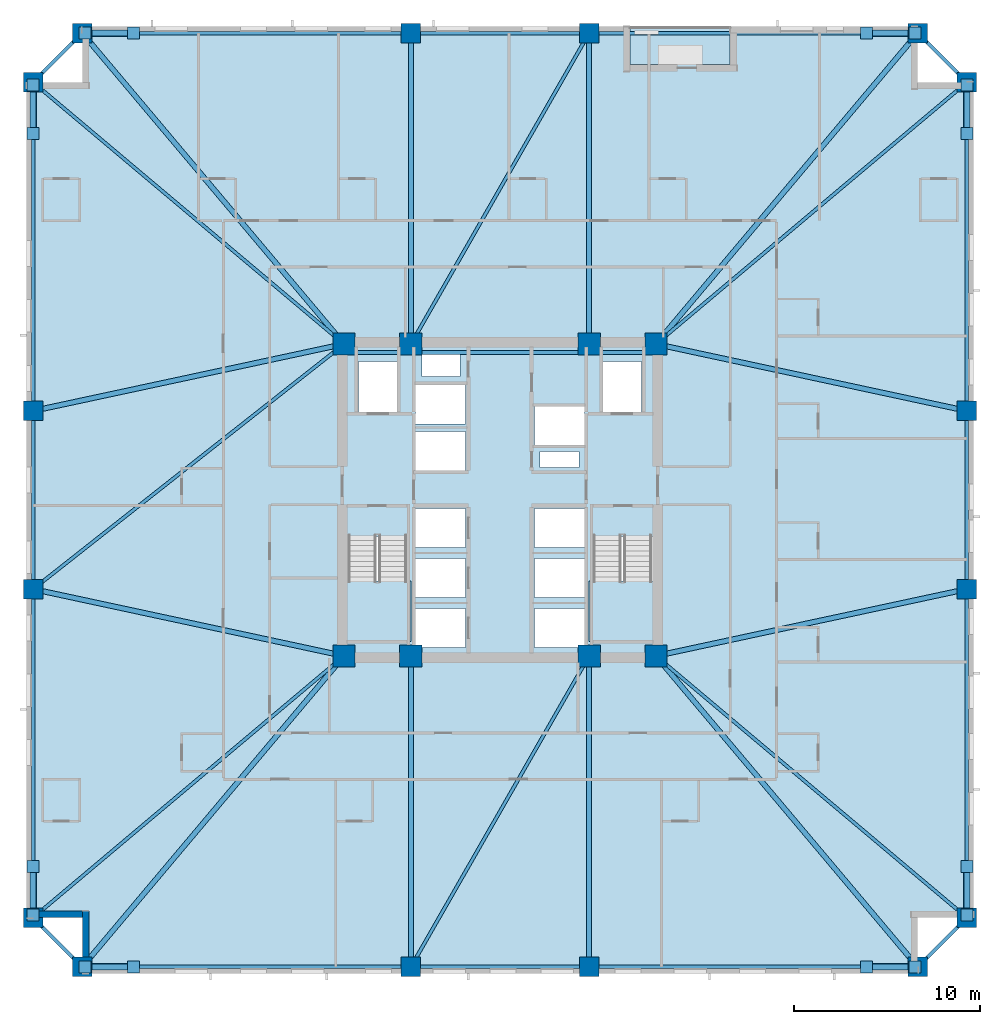
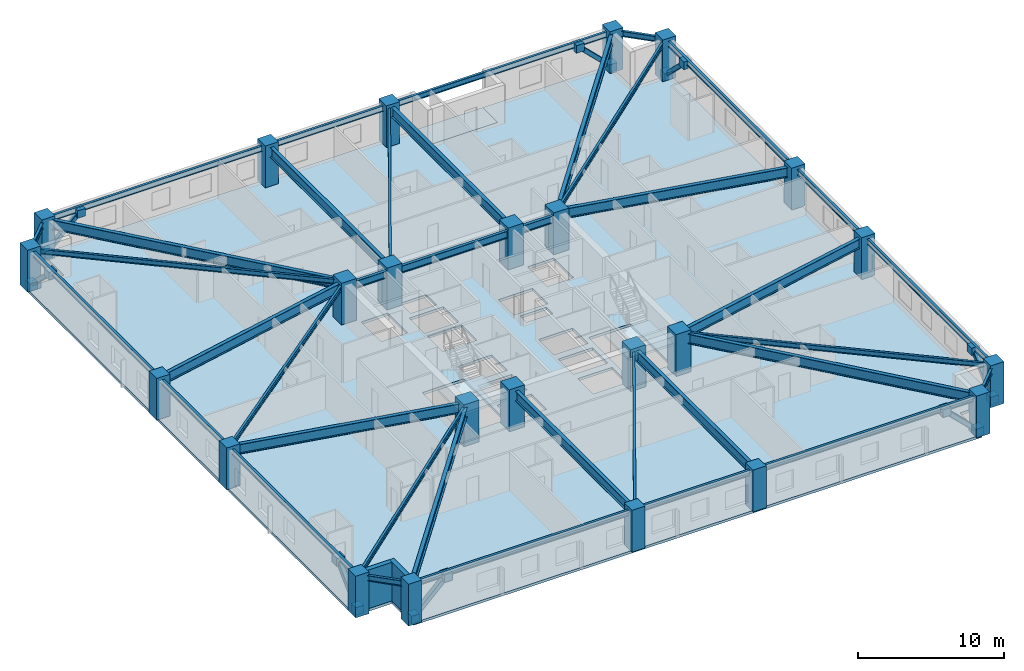
# One storey, part 1 of 11: 38 beams, 24 columns, 16 plates, 8 members, 4 slabs, 2 walls, 2 elements without a shape of their own.
"""IFC4 building model written with IfcOpenShell, lengths in metres."""

import ifcopenshell
import ifcopenshell.guid

model = None  # the IFC model being written
_history = None  # IfcOwnerHistory: only IFC2X3 demands one
_inside = {}  # id of a spatial element -> (the spatial element, [elements in it])
_under = {}  # id of a project, library or spatial element -> (it, [spatial elements below it])
_declared = {}  # id of a project -> (the project, [libraries it declares])
_typed = {}  # id of a type object -> (the type object, [elements of that type])
_made_of = {}  # id of a material, layer set ... -> (it, [elements and type objects made of it])


def new_model(schema):
    """Start an empty IFC model of exactly this schema.

    Asked for "IFC4X3", IfcOpenShell would pick the latest addendum, in which some entities
    have other attributes; the version numbers below select the first issue.
    IFC2X3 requires an IfcOwnerHistory on every rooted entity: one is made here for all.
    """
    global model, _history
    if schema == "IFC4X3":
        model = ifcopenshell.file(schema_version=(4, 3, 0, 0))
    else:
        model = ifcopenshell.file(schema=schema)
    _inside.clear()
    _under.clear()
    _declared.clear()
    _typed.clear()
    _made_of.clear()
    _history = None
    if model.schema == "IFC2X3":
        org = make("IfcOrganization", Name="unknown")
        user = make(
            "IfcPersonAndOrganization",
            ThePerson=make("IfcPerson", FamilyName="unknown"),
            TheOrganization=org,
        )
        app = make(
            "IfcApplication",
            ApplicationDeveloper=org,
            Version="unknown",
            ApplicationFullName="unknown",
            ApplicationIdentifier="unknown",
        )
        _history = make(
            "IfcOwnerHistory",
            OwningUser=user,
            OwningApplication=app,
            ChangeAction="ADDED",
            CreationDate=0,
        )
    return model


def make(cls, **values):
    """One entity of the class cls with the attributes given. An attribute that is None is left unset."""
    return model.create_entity(
        cls, **{name: value for name, value in values.items() if value is not None}
    )


def rooted(cls, **values):
    """An entity with a GlobalId (a new one), such as an element, a storey or a relation."""
    return make(cls, GlobalId=ifcopenshell.guid.new(), OwnerHistory=_history, **values)


def si_unit(unit_type, name, prefix=None):
    """IfcSIUnit, for example si_unit("LENGTHUNIT", "METRE", prefix="MILLI")."""
    return make("IfcSIUnit", UnitType=unit_type, Prefix=prefix, Name=name)


def assignment(units):
    """IfcUnitAssignment: the units of a project."""
    return None if units is None else make("IfcUnitAssignment", Units=units)


def point(xyz):
    """IfcCartesianPoint."""
    return None if xyz is None else make("IfcCartesianPoint", Coordinates=xyz)


def direction(xyz):
    """IfcDirection."""
    return None if xyz is None else make("IfcDirection", DirectionRatios=xyz)


def frame(location, z_axis=None, x_axis=None):
    """IfcAxis2Placement3D, a coordinate frame: its origin and axes. An axis left out is left unset."""
    return make(
        "IfcAxis2Placement3D",
        Location=point(location),
        Axis=direction(z_axis),
        RefDirection=direction(x_axis),
    )


def frame_2d(location, x_axis=None):
    """IfcAxis2Placement2D, a coordinate frame in the plane: its origin and x axis."""
    return make(
        "IfcAxis2Placement2D", Location=point(location), RefDirection=direction(x_axis)
    )


def origin():
    """The frame at (0, 0, 0) with its axes left unset."""
    return frame((0.0, 0.0, 0.0))


def origin_2d():
    """The frame at (0, 0) in the plane with its x axis left unset."""
    return frame_2d((0.0, 0.0))


def place(relative_to, where):
    """IfcLocalPlacement: puts the frame where relative to a parent placement (None: the world)."""
    return make(
        "IfcLocalPlacement", PlacementRelTo=relative_to, RelativePlacement=where
    )


def context(
    kind, dimensions, precision=None, world=None, true_north=None, identifier=None
):
    """IfcGeometricRepresentationContext, for example the 3D "Model" context."""
    return make(
        "IfcGeometricRepresentationContext",
        ContextIdentifier=identifier,
        ContextType=kind,
        CoordinateSpaceDimension=dimensions,
        Precision=precision,
        WorldCoordinateSystem=world,
        TrueNorth=true_north,
    )


def subcontext(parent, identifier, kind, view, scale=None):
    """IfcGeometricRepresentationSubContext, for example "Body" below "Model"."""
    return make(
        "IfcGeometricRepresentationSubContext",
        ContextIdentifier=identifier,
        ContextType=kind,
        ParentContext=parent,
        TargetScale=scale,
        TargetView=view,
    )


def project(units=None, contexts=None):
    """IfcProject with its units and contexts."""
    return rooted(
        "IfcProject",
        Name="project",
        RepresentationContexts=contexts,
        UnitsInContext=assignment(units),
    )


def spatial(cls, under=None, at=None, **own):
    """A site, building, storey or space (cls), placed at a placement, below another one or the project."""
    s = rooted(cls, ObjectPlacement=at, **own)
    if under is not None:
        _under.setdefault(under.id(), (under, []))[1].append(s)
    return s


def polyline(points):
    """IfcPolyline through the points."""
    return make("IfcPolyline", Points=[point(p) for p in points])


def profile(cls, at=None, kind="AREA", **sizes):
    """A parametric profile (cls). Its sizes go by their IFC names, for example OverallWidth=200.0."""
    return make(cls, ProfileType=kind, Position=at, **sizes)


def rectangle(**sizes):
    """IfcRectangleProfileDef."""
    return profile("IfcRectangleProfileDef", **sizes)


def hollow_rectangle(**sizes):
    """IfcRectangleHollowProfileDef."""
    return profile("IfcRectangleHollowProfileDef", **sizes)


def i_section(**sizes):
    """IfcIShapeProfileDef."""
    return profile("IfcIShapeProfileDef", **sizes)


def outline(outer, holes=None, kind="AREA"):
    """IfcArbitraryClosedProfileDef: a profile drawn as a closed curve; with holes, ...WithVoids."""
    if holes is None:
        return make("IfcArbitraryClosedProfileDef", ProfileType=kind, OuterCurve=outer)
    return make(
        "IfcArbitraryProfileDefWithVoids",
        ProfileType=kind,
        OuterCurve=outer,
        InnerCurves=holes,
    )


def extrude(swept, where, along, depth):
    """IfcExtrudedAreaSolid: the profile swept, set in the frame where, extruded along a direction by depth."""
    return make(
        "IfcExtrudedAreaSolid",
        SweptArea=swept,
        Position=where,
        ExtrudedDirection=direction(along),
        Depth=depth,
    )


def shape(context_of_items, identifier, shape_type, items):
    """IfcShapeRepresentation: the items that make up one representation, for example the "Body"."""
    return make(
        "IfcShapeRepresentation",
        ContextOfItems=context_of_items,
        RepresentationIdentifier=identifier,
        RepresentationType=shape_type,
        Items=items,
    )


def material(Name=None, Category=None):
    """IfcMaterial."""
    return make("IfcMaterial", Name=Name, Category=Category)


def layer(
    of_material, thickness, ventilated=None, Name=None, Category=None, Priority=None
):
    """IfcMaterialLayer: one layer of a wall or slab, of a material (None: an air gap)."""
    return make(
        "IfcMaterialLayer",
        Material=of_material,
        LayerThickness=thickness,
        IsVentilated=ventilated,
        Name=Name,
        Category=Category,
        Priority=Priority,
    )


def layer_set(layers, Name=None):
    """IfcMaterialLayerSet."""
    return make("IfcMaterialLayerSet", MaterialLayers=layers, LayerSetName=Name)


def material_profile(
    of_material, cross_section, Name=None, Category=None, Priority=None
):
    """IfcMaterialProfile: a cross section and its material."""
    return make(
        "IfcMaterialProfile",
        Name=Name,
        Material=of_material,
        Profile=cross_section,
        Priority=Priority,
        Category=Category,
    )


def profile_set(profiles, Name=None, composite=None):
    """IfcMaterialProfileSet."""
    return make(
        "IfcMaterialProfileSet",
        Name=Name,
        MaterialProfiles=profiles,
        CompositeProfile=composite,
    )


def made_of(thing, what):
    """Note that an element or type object is made of a material, layer set ...; save() writes the relation."""
    if what is not None:
        _made_of.setdefault(what.id(), (what, []))[1].append(thing)
    return thing


def type_object(cls, material=None, **own):
    """A type object (cls), such as IfcWallType, which elements share."""
    return made_of(rooted(cls, **own), material)


def element(
    cls,
    number,
    at=None,
    inside=None,
    cuts=None,
    type_object=None,
    material=None,
    context=None,
    identifier="Body",
    shape_type=None,
    held_by="IfcProductDefinitionShape",
    body=None,
    shapes=None,
    **own,
):
    """One element of the class cls, such as IfcWall. Its Tag is "e" and its number.

    at: its placement. inside: the storey or other place that contains it. cuts: it is an
    opening in that element (IfcRelVoidsElement). A single representation is given by context,
    identifier, shape_type and body (its items); several are given by shapes. held_by: the class
    of the entity that holds the representations. save() writes the other relations.
    """
    e = rooted(cls, Tag="e%d" % number, ObjectPlacement=at, **own)
    if body is not None:
        shapes = [shape(context, identifier, shape_type, body)]
    if shapes is not None:
        e.Representation = make(held_by, Representations=shapes)
    if inside is not None:
        _inside.setdefault(inside.id(), (inside, []))[1].append(e)
    if cuts is not None:
        rooted(
            "IfcRelVoidsElement", RelatingBuildingElement=cuts, RelatedOpeningElement=e
        )
    if type_object is not None:
        _typed.setdefault(type_object.id(), (type_object, []))[1].append(e)
    return made_of(e, material)


def aggregate(whole, parts):
    """IfcRelAggregates: a whole, such as a stair, and the parts it consists of."""
    return rooted("IfcRelAggregates", RelatingObject=whole, RelatedObjects=parts)


def save(model, path):
    """Write the relations noted so far, then the file.

    IfcRelAggregates (storeys below a building ...), IfcRelContainedInSpatialStructure (elements
    in a storey), IfcRelDefinesByType, IfcRelAssociatesMaterial and IfcRelDeclares: one each for
    every whole, place, type object, material and project.
    """
    for whole, parts in _under.values():
        aggregate(whole, parts)
    for where, things in _inside.values():
        rooted(
            "IfcRelContainedInSpatialStructure",
            RelatedElements=things,
            RelatingStructure=where,
        )
    for kind, things in _typed.values():
        rooted("IfcRelDefinesByType", RelatedObjects=things, RelatingType=kind)
    for what, things in _made_of.values():
        rooted("IfcRelAssociatesMaterial", RelatedObjects=things, RelatingMaterial=what)
    for by, libraries in _declared.values():
        rooted("IfcRelDeclares", RelatingContext=by, RelatedDefinitions=libraries)
    model.write(path)


model = new_model("IFC4")

# Units and contexts
model_context = context("Model", 3, precision=1e-05, world=origin(), true_north=direction((0.0, 1.0)))
body_context = subcontext(model_context, "Body", "Model", "MODEL_VIEW")
ifc_project = project(units=[si_unit("LENGTHUNIT", "METRE"), si_unit("AREAUNIT", "SQUARE_METRE"), si_unit("VOLUMEUNIT", "CUBIC_METRE"), si_unit("PLANEANGLEUNIT", "RADIAN"), si_unit("MASSUNIT", "GRAM", prefix="KILO")], contexts=[model_context])

# Site, building, storey
site_placement = place(None, origin())
site = spatial("IfcSite", under=ifc_project, at=site_placement, CompositionType="ELEMENT")
building_placement = place(site_placement, origin())
building = spatial("IfcBuilding", under=site, at=building_placement, Name="Cairnveth Concourse Tower", CompositionType="ELEMENT")
storey_placement = place(building_placement, frame((0.0, 0.0, 93.5)))
storey = spatial("IfcBuildingStorey", under=building, at=storey_placement, Name="L25", CompositionType="ELEMENT", Elevation=93.5)

# Columns
ifc_material_1 = material(Name="Concrete N80 (80 MPa)", Category="concrete")
ifc_material_profile_1 = material_profile(ifc_material_1, rectangle(XDim=1.199951171875, YDim=1.199951171875, at=origin_2d()), Name="RC-COL-1200x1200")
ifc_profile_set_1 = profile_set([ifc_material_profile_1], Name="Concrete N80 (80 MPa)")
column_type_1 = type_object("IfcColumnType", Name="CORE COLUMN 1200X1200", PredefinedType="COLUMN", material=ifc_profile_set_1)
for number, where, z_axis, x_axis, name in (
    (1, (43.60009765625, 30.60009765625, 0.0), (0.0, 0.0, 1.0), (1.0, 0.0, 0.0), "Column CC1 L25"),
    (2, (47.199951171875, 30.60009765625, 0.0), (0.0, 0.0, 1.0), (1.0, 0.0, 0.0), "Column CC2 L25"),
    (3, (56.800048828125, 30.60009765625, 0.0), (0.0, 0.0, 1.0), (1.0, 0.0, 0.0), "Column CC3 L25"),
    (4, (60.39990234375, 30.60009765625, 0.0), (0.0, 0.0, 1.0), (1.0, 0.0, 0.0), "Column CC4 L25"),
    (5, (43.60009765625, 47.39990234375, 0.0), (0.0, 0.0, 1.0), (1.0, 0.0, 0.0), "Column CC5 L25"),
    (6, (47.199951171875, 47.39990234375, 0.0), (0.0, 0.0, 1.0), (1.0, 0.0, 0.0), "Column CC6 L25"),
    (7, (56.800048828125, 47.39990234375, 0.0), (0.0, 0.0, 1.0), (1.0, 0.0, 0.0), "Column CC7 L25"),
    (8, (60.39990234375, 47.39990234375, 0.0), (0.0, 0.0, 1.0), (1.0, 0.0, 0.0), "Column CC8 L25"),
):
    element("IfcColumn", number, at=place(storey_placement, frame(where, z_axis=z_axis, x_axis=x_axis)), inside=storey, type_object=column_type_1, Name=name, PredefinedType="COLUMN", context=body_context, shape_type="SweptSolid", body=[
        extrude(rectangle(XDim=1.199951171875, YDim=1.199951171875, at=origin_2d()), origin(), (0.0, 0.0, 1.0), 3.5),
    ])
ifc_material_2 = material(Name="Concrete N65 (65 MPa)", Category="concrete")
ifc_material_profile_2 = material_profile(ifc_material_2, rectangle(XDim=1.050048828125, YDim=1.050048828125, at=origin_2d()), Name="RC-COL-1050x1050")
ifc_profile_set_2 = profile_set([ifc_material_profile_2], Name="Concrete N65 (65 MPa)")
column_type_2 = type_object("IfcColumnType", Name="PERIMETER PIER COLUMN 1050X1050", PredefinedType="COLUMN", material=ifc_profile_set_2)
for number, where, z_axis, x_axis, name in (
    (9, (29.5, 13.85009765625, 0.0), (0.0, 0.0, 1.0), (1.0, 0.0, 0.0), "Column P-S1 L25"),
    (10, (47.199951171875, 13.85009765625, 0.0), (0.0, 0.0, 1.0), (1.0, 0.0, 0.0), "Column P-S2 L25"),
    (11, (56.800048828125, 13.85009765625, 0.0), (0.0, 0.0, 1.0), (1.0, 0.0, 0.0), "Column P-S3 L25"),
    (12, (74.5, 13.85009765625, 0.0), (0.0, 0.0, 1.0), (1.0, 0.0, 0.0), "Column P-S4 L25"),
    (13, (77.14990234375, 16.5, 0.0), (0.0, 0.0, 1.0), (0.0, 1.0, 0.0), "Column P-E1 L25"),
    (14, (77.14990234375, 34.199951171875, 0.0), (0.0, 0.0, 1.0), (0.0, 1.0, 0.0), "Column P-E2 L25"),
    (15, (77.14990234375, 43.800048828125, 0.0), (0.0, 0.0, 1.0), (0.0, 1.0, 0.0), "Column P-E3 L25"),
    (16, (77.14990234375, 61.5, 0.0), (0.0, 0.0, 1.0), (0.0, 1.0, 0.0), "Column P-E4 L25"),
    (17, (74.5, 64.14990234375, 0.0), (0.0, 0.0, 1.0), (1.0, 0.0, 0.0), "Column P-N1 L25"),
    (18, (56.800048828125, 64.14990234375, 0.0), (0.0, 0.0, 1.0), (1.0, 0.0, 0.0), "Column P-N2 L25"),
    (19, (47.199951171875, 64.14990234375, 0.0), (0.0, 0.0, 1.0), (1.0, 0.0, 0.0), "Column P-N3 L25"),
    (20, (29.5, 64.14990234375, 0.0), (0.0, 0.0, 1.0), (1.0, 0.0, 0.0), "Column P-N4 L25"),
    (21, (26.85009765625, 61.5, 0.0), (0.0, 0.0, 1.0), (0.0, 1.0, 0.0), "Column P-W1 L25"),
    (22, (26.85009765625, 43.800048828125, 0.0), (0.0, 0.0, 1.0), (0.0, 1.0, 0.0), "Column P-W2 L25"),
    (23, (26.85009765625, 34.199951171875, 0.0), (0.0, 0.0, 1.0), (0.0, 1.0, 0.0), "Column P-W3 L25"),
    (24, (26.85009765625, 16.5, 0.0), (0.0, 0.0, 1.0), (0.0, 1.0, 0.0), "Column P-W4 L25"),
):
    element("IfcColumn", number, at=place(storey_placement, frame(where, z_axis=z_axis, x_axis=x_axis)), inside=storey, type_object=column_type_2, Name=name, PredefinedType="COLUMN", context=body_context, shape_type="SweptSolid", body=[
        extrude(rectangle(XDim=1.050048828125, YDim=1.050048828125, at=origin_2d()), origin(), (0.0, 0.0, 1.0), 3.5),
    ])

# Beams
ifc_material_3 = material(Name="Steel Grade 350", Category="steel")
ifc_material_profile_3 = material_profile(ifc_material_3, i_section(OverallWidth=0.22802734375, OverallDepth=0.60693359375, WebThickness=0.01123046875, FlangeThickness=0.017333984375, FilletRadius=0.013916015625, at=origin_2d()), Name="610UB113")
ifc_profile_set_3 = profile_set([ifc_material_profile_3], Name="Steel Grade 350")
beam_type_1 = type_object("IfcBeamType", Name="CORE TIE BEAM 610UB113", PredefinedType="T_BEAM", material=ifc_profile_set_3)
for number, where, z_axis, x_axis, name in (
    (25, (43.60009765625, 46.949951171875, 2.9365234375), (1.0, 0.0, 0.0), (0.0, 1.0, 0.0), "Beam CT-N1 L25"),
    (26, (56.800048828125, 46.949951171875, 2.9365234375), (1.0, 0.0, 0.0), (0.0, 1.0, 0.0), "Beam CT-N3 L25"),
):
    element("IfcBeam", number, at=place(storey_placement, frame(where, z_axis=z_axis, x_axis=x_axis)), inside=storey, type_object=beam_type_1, Name=name, PredefinedType="T_BEAM", context=body_context, shape_type="SweptSolid", body=[
        extrude(i_section(OverallWidth=0.22802734375, OverallDepth=0.60693359375, WebThickness=0.01123046875, FlangeThickness=0.017333984375, FilletRadius=0.013916015625, at=origin_2d()), origin(), (0.0, 0.0, 1.0), 3.599853515625),
    ])
beam_1_placement = place(storey_placement, frame((47.199951171875, 46.949951171875, 2.9365234375), z_axis=(1.0, 0.0, 0.0), x_axis=(0.0, 1.0, 0.0)))
element("IfcBeam", 27, at=beam_1_placement, inside=storey, type_object=beam_type_1, Name="Beam CT-N2 L25", PredefinedType="T_BEAM", context=body_context, shape_type="SweptSolid", body=[
    extrude(i_section(OverallWidth=0.22802734375, OverallDepth=0.60693359375, WebThickness=0.01123046875, FlangeThickness=0.017333984375, FilletRadius=0.013916015625, at=origin_2d()), origin(), (0.0, 0.0, 1.0), 9.60009765625),
])
ifc_material_profile_4 = material_profile(ifc_material_3, i_section(OverallWidth=0.177978515625, OverallDepth=0.406005859375, WebThickness=0.0078125, FlangeThickness=0.0126953125, FilletRadius=0.010986328125, at=origin_2d()), Name="410UB59.7")
ifc_profile_set_4 = profile_set([ifc_material_profile_4], Name="Steel Grade 350")
beam_type_2 = type_object("IfcBeamType", Name="ZONE 1 FLOOR JOIST 410UB59.7", PredefinedType="JOIST", material=ifc_profile_set_4)
for number, where, z_axis, x_axis, name in (
    (28, (26.85009765625, 16.5, 3.037109375), (0.765027427674, 0.643997697905, 0.0), (-0.643997697905, 0.765027427674, 0.0), "Beam FJ-CSW2 L25"),
    (29, (77.14990234375, 16.5, 3.037109375), (-0.765027427674, 0.643997697905, 0.0), (-0.643997697905, -0.765027427674, 0.0), "Beam FJ-CSE2 L25"),
    (30, (77.14990234375, 61.5, 3.037109375), (-0.765027427674, -0.643997697905, 0.0), (0.643997697905, -0.765027427674, 0.0), "Beam FJ-CNE2 L25"),
    (31, (26.85009765625, 61.5, 3.037109375), (0.765027427674, -0.643997697905, 0.0), (0.643997697905, 0.765027427674, 0.0), "Beam FJ-CNW2 L25"),
):
    element("IfcBeam", number, at=place(storey_placement, frame(where, z_axis=z_axis, x_axis=x_axis)), inside=storey, type_object=beam_type_2, Name=name, PredefinedType="JOIST", context=body_context, shape_type="SweptSolid", body=[
        extrude(i_section(OverallWidth=0.177978515625, OverallDepth=0.406005859375, WebThickness=0.0078125, FlangeThickness=0.0126953125, FilletRadius=0.010986328125, at=origin_2d()), origin(), (0.0, 0.0, 1.0), 21.89453125),
    ])
for number, where, z_axis, x_axis, name in (
    (32, (47.199951171875, 13.85009765625, 3.037109375), (0.497257970706, 0.86760273776, 0.0), (-0.86760273776, 0.497257970706, 0.0), "Beam FJ-S-M1 L25"),
    (33, (47.199951171875, 47.39990234375, 3.037109375), (0.497257970706, 0.86760273776, 0.0), (-0.86760273776, 0.497257970706, 0.0), "Beam FJ-N-M1 L25"),
):
    element("IfcBeam", number, at=place(storey_placement, frame(where, z_axis=z_axis, x_axis=x_axis)), inside=storey, type_object=beam_type_2, Name=name, PredefinedType="JOIST", context=body_context, shape_type="SweptSolid", body=[
        extrude(i_section(OverallWidth=0.177978515625, OverallDepth=0.406005859375, WebThickness=0.0078125, FlangeThickness=0.0126953125, FilletRadius=0.010986328125, at=origin_2d()), origin(), (0.0, 0.0, 1.0), 19.30615234375),
    ])
beam_2_placement = place(storey_placement, frame((26.85009765625, 34.199951171875, 3.037109375), z_axis=(0.785423705995, 0.618958481694, 0.0), x_axis=(-0.618958481694, 0.785423705995, 0.0)))
element("IfcBeam", 34, at=beam_2_placement, inside=storey, type_object=beam_type_2, Name="Beam FJ-W-M1 L25", PredefinedType="JOIST", context=body_context, shape_type="SweptSolid", body=[
    extrude(i_section(OverallWidth=0.177978515625, OverallDepth=0.406005859375, WebThickness=0.0078125, FlangeThickness=0.0126953125, FilletRadius=0.010986328125, at=origin_2d()), origin(), (0.0, 0.0, 1.0), 21.326171875),
])

# Members
ifc_material_4 = material(Name="Steel C350L0 (350 MPa)", Category="steel")
ifc_material_profile_5 = material_profile(ifc_material_4, hollow_rectangle(XDim=0.35009765625, YDim=0.35009765625, WallThickness=0.01611328125, InnerFilletRadius=0.01611328125, OuterFilletRadius=0.031982421875, at=origin_2d()), Name="350x350x16.0SHS")
ifc_profile_set_5 = profile_set([ifc_material_profile_5], Name="Steel C350L0 (350 MPa)")
member_type = type_object("IfcMemberType", Name="ZONE 1 PIER BRACE 350X350X16SHS", PredefinedType="BRACE", material=ifc_profile_set_5)
for number, where, z_axis, x_axis, name in (
    (35, (29.64990234375, 13.85009765625, 0.25), (0.715319960292, 0.0, 0.698797076702), (0.0, 1.0, 0.0), "Structural Brace PB-S1 L25"),
    (36, (74.35009765625, 13.85009765625, 0.25), (-0.715319960292, 0.0, 0.698797076702), (0.0, -1.0, 0.0), "Structural Brace PB-S2 L25"),
    (37, (29.64990234375, 64.14990234375, 0.25), (0.715319960292, 0.0, 0.698797076702), (0.0, 1.0, 0.0), "Structural Brace PB-N1 L25"),
    (38, (74.35009765625, 64.14990234375, 0.25), (-0.715319960292, 0.0, 0.698797076702), (0.0, -1.0, 0.0), "Structural Brace PB-N2 L25"),
    (39, (26.85009765625, 16.64990234375, 0.25), (0.0, 0.715319960292, 0.698797076702), (-1.0, 0.0, 0.0), "Structural Brace PB-W1 L25"),
    (40, (26.85009765625, 61.35009765625, 0.25), (0.0, -0.715319960292, 0.698797076702), (1.0, 0.0, 0.0), "Structural Brace PB-W2 L25"),
    (41, (77.14990234375, 16.64990234375, 0.25), (0.0, 0.715319960292, 0.698797076702), (-1.0, 0.0, 0.0), "Structural Brace PB-E1 L25"),
    (42, (77.14990234375, 61.35009765625, 0.25), (0.0, -0.715319960292, 0.698797076702), (1.0, 0.0, 0.0), "Structural Brace PB-E2 L25"),
):
    element("IfcMember", number, at=place(storey_placement, frame(where, z_axis=z_axis, x_axis=x_axis)), inside=storey, type_object=member_type, Name=name, PredefinedType="BRACE", context=body_context, shape_type="SweptSolid", body=[
        extrude(hollow_rectangle(XDim=0.35009765625, YDim=0.35009765625, WallThickness=0.01611328125, InnerFilletRadius=0.01611328125, OuterFilletRadius=0.031982421875, at=origin_2d()), origin(), (0.0, 0.0, 1.0), 3.634765625),
    ])

# Beams
ifc_material_profile_6 = material_profile(ifc_material_3, i_section(OverallWidth=0.27490234375, OverallDepth=0.81591796875, WebThickness=0.011962890625, FlangeThickness=0.028076171875, at=origin_2d()), Name="800WB192")
ifc_profile_set_6 = profile_set([ifc_material_profile_6], Name="Steel Grade 350")
beam_type_3 = type_object("IfcBeamType", Name="ZONE 1 RADIAL GIRDER 800WB192", PredefinedType="BEAM", material=ifc_profile_set_6)
for number, where, z_axis, x_axis, name in (
    (43, (47.199951171875, 13.85009765625, 2.83203125), (0.0, 1.0, 0.0), (-1.0, 0.0, 0.0), "Beam RG-S1 L25"),
    (44, (56.800048828125, 13.85009765625, 2.83203125), (0.0, 1.0, 0.0), (-1.0, 0.0, 0.0), "Beam RG-S2 L25"),
    (45, (47.199951171875, 47.39990234375, 2.83203125), (0.0, 1.0, 0.0), (-1.0, 0.0, 0.0), "Beam RG-N1 L25"),
    (46, (56.800048828125, 47.39990234375, 2.83203125), (0.0, 1.0, 0.0), (-1.0, 0.0, 0.0), "Beam RG-N2 L25"),
):
    element("IfcBeam", number, at=place(storey_placement, frame(where, z_axis=z_axis, x_axis=x_axis)), inside=storey, type_object=beam_type_3, Name=name, PredefinedType="BEAM", context=body_context, shape_type="SweptSolid", body=[
        extrude(i_section(OverallWidth=0.27490234375, OverallDepth=0.81591796875, WebThickness=0.011962890625, FlangeThickness=0.028076171875, at=origin_2d()), origin(), (0.0, 0.0, 1.0), 16.75),
    ])
for number, where, z_axis, x_axis, name in (
    (47, (26.85009765625, 34.199951171875, 2.83203125), (0.977675861524, -0.210118799239, 0.0), (0.210118799239, 0.977675861524, 0.0), "Beam RG-W1 L25"),
    (48, (26.85009765625, 43.800048828125, 2.83203125), (0.977675861524, 0.210118799239, 0.0), (-0.210118799239, 0.977675861524, 0.0), "Beam RG-W2 L25"),
    (49, (60.39990234375, 30.60009765625, 2.83203125), (0.977675861524, 0.210118799239, 0.0), (-0.210118799239, 0.977675861524, 0.0), "Beam RG-E1 L25"),
    (50, (60.39990234375, 47.39990234375, 2.83203125), (0.977675861524, -0.210118799239, 0.0), (0.210118799239, 0.977675861524, 0.0), "Beam RG-E2 L25"),
):
    element("IfcBeam", number, at=place(storey_placement, frame(where, z_axis=z_axis, x_axis=x_axis)), inside=storey, type_object=beam_type_3, Name=name, PredefinedType="BEAM", context=body_context, shape_type="SweptSolid", body=[
        extrude(i_section(OverallWidth=0.27490234375, OverallDepth=0.81591796875, WebThickness=0.011962890625, FlangeThickness=0.028076171875, at=origin_2d()), origin(), (0.0, 0.0, 1.0), 17.132568359375),
    ])
for number, where, z_axis, x_axis, name in (
    (51, (29.5, 13.85009765625, 2.83203125), (0.643997697905, 0.765027427674, 0.0), (-0.765027427674, 0.643997697905, 0.0), "Beam RG-CSW L25"),
    (52, (74.5, 13.85009765625, 2.83203125), (-0.643997697905, 0.765027427674, 0.0), (-0.765027427674, -0.643997697905, 0.0), "Beam RG-CSE L25"),
    (53, (74.5, 64.14990234375, 2.83203125), (-0.643997697905, -0.765027427674, 0.0), (0.765027427674, -0.643997697905, 0.0), "Beam RG-CNE L25"),
    (54, (29.5, 64.14990234375, 2.83203125), (0.643997697905, -0.765027427674, 0.0), (0.765027427674, 0.643997697905, 0.0), "Beam RG-CNW L25"),
):
    element("IfcBeam", number, at=place(storey_placement, frame(where, z_axis=z_axis, x_axis=x_axis)), inside=storey, type_object=beam_type_3, Name=name, PredefinedType="BEAM", context=body_context, shape_type="SweptSolid", body=[
        extrude(i_section(OverallWidth=0.27490234375, OverallDepth=0.81591796875, WebThickness=0.011962890625, FlangeThickness=0.028076171875, at=origin_2d()), origin(), (0.0, 0.0, 1.0), 21.89453125),
    ])
ifc_material_profile_7 = material_profile(ifc_material_3, i_section(OverallWidth=0.19091796875, OverallDepth=0.4599609375, WebThickness=0.010009765625, FlangeThickness=0.01611328125, FilletRadius=0.010986328125, at=origin_2d()), Name="460UB82.1")
ifc_profile_set_7 = profile_set([ifc_material_profile_7], Name="Steel Grade 350")
beam_type_4 = type_object("IfcBeamType", Name="ZONE 1 SPANDREL BEAM 460UB82.1", PredefinedType="SPANDREL", material=ifc_profile_set_7)
beam_3_placement = place(storey_placement, frame((29.5, 13.85009765625, 3.010009765625), z_axis=(1.0, 0.0, 0.0), x_axis=(0.0, 1.0, 0.0)))
element("IfcBeam", 55, at=beam_3_placement, inside=storey, type_object=beam_type_4, Name="Beam SP-S1 L25", PredefinedType="SPANDREL", context=body_context, shape_type="SweptSolid", body=[
    extrude(i_section(OverallWidth=0.19091796875, OverallDepth=0.4599609375, WebThickness=0.010009765625, FlangeThickness=0.01611328125, FilletRadius=0.010986328125, at=origin_2d()), origin(), (0.0, 0.0, 1.0), 17.699951171875),
])
beam_4_placement = place(storey_placement, frame((47.199951171875, 13.85009765625, 3.010009765625), z_axis=(1.0, 0.0, 0.0), x_axis=(0.0, 1.0, 0.0)))
element("IfcBeam", 56, at=beam_4_placement, inside=storey, type_object=beam_type_4, Name="Beam SP-S2 L25", PredefinedType="SPANDREL", context=body_context, shape_type="SweptSolid", body=[
    extrude(i_section(OverallWidth=0.19091796875, OverallDepth=0.4599609375, WebThickness=0.010009765625, FlangeThickness=0.01611328125, FilletRadius=0.010986328125, at=origin_2d()), origin(), (0.0, 0.0, 1.0), 9.60009765625),
])
for number, where, z_axis, x_axis, name in (
    (57, (56.800048828125, 13.85009765625, 3.010009765625), (1.0, 0.0, 0.0), (0.0, 1.0, 0.0), "Beam SP-S3 L25"),
    (58, (29.5, 64.14990234375, 3.010009765625), (1.0, 0.0, 0.0), (0.0, 1.0, 0.0), "Beam SP-N1 L25"),
):
    element("IfcBeam", number, at=place(storey_placement, frame(where, z_axis=z_axis, x_axis=x_axis)), inside=storey, type_object=beam_type_4, Name=name, PredefinedType="SPANDREL", context=body_context, shape_type="SweptSolid", body=[
        extrude(i_section(OverallWidth=0.19091796875, OverallDepth=0.4599609375, WebThickness=0.010009765625, FlangeThickness=0.01611328125, FilletRadius=0.010986328125, at=origin_2d()), origin(), (0.0, 0.0, 1.0), 17.699951171875),
    ])
beam_5_placement = place(storey_placement, frame((47.199951171875, 64.14990234375, 3.010009765625), z_axis=(1.0, 0.0, 0.0), x_axis=(0.0, 1.0, 0.0)))
element("IfcBeam", 59, at=beam_5_placement, inside=storey, type_object=beam_type_4, Name="Beam SP-N2 L25", PredefinedType="SPANDREL", context=body_context, shape_type="SweptSolid", body=[
    extrude(i_section(OverallWidth=0.19091796875, OverallDepth=0.4599609375, WebThickness=0.010009765625, FlangeThickness=0.01611328125, FilletRadius=0.010986328125, at=origin_2d()), origin(), (0.0, 0.0, 1.0), 9.60009765625),
])
for number, where, z_axis, x_axis, name in (
    (60, (56.800048828125, 64.14990234375, 3.010009765625), (1.0, 0.0, 0.0), (0.0, 1.0, 0.0), "Beam SP-N3 L25"),
    (61, (26.85009765625, 16.5, 3.010009765625), (0.0, 1.0, 0.0), (-1.0, 0.0, 0.0), "Beam SP-W1 L25"),
):
    element("IfcBeam", number, at=place(storey_placement, frame(where, z_axis=z_axis, x_axis=x_axis)), inside=storey, type_object=beam_type_4, Name=name, PredefinedType="SPANDREL", context=body_context, shape_type="SweptSolid", body=[
        extrude(i_section(OverallWidth=0.19091796875, OverallDepth=0.4599609375, WebThickness=0.010009765625, FlangeThickness=0.01611328125, FilletRadius=0.010986328125, at=origin_2d()), origin(), (0.0, 0.0, 1.0), 17.699951171875),
    ])
beam_6_placement = place(storey_placement, frame((26.85009765625, 34.199951171875, 3.010009765625), z_axis=(0.0, 1.0, 0.0), x_axis=(-1.0, 0.0, 0.0)))
element("IfcBeam", 62, at=beam_6_placement, inside=storey, type_object=beam_type_4, Name="Beam SP-W2 L25", PredefinedType="SPANDREL", context=body_context, shape_type="SweptSolid", body=[
    extrude(i_section(OverallWidth=0.19091796875, OverallDepth=0.4599609375, WebThickness=0.010009765625, FlangeThickness=0.01611328125, FilletRadius=0.010986328125, at=origin_2d()), origin(), (0.0, 0.0, 1.0), 9.60009765625),
])
for number, where, z_axis, x_axis, name in (
    (63, (26.85009765625, 43.800048828125, 3.010009765625), (0.0, 1.0, 0.0), (-1.0, 0.0, 0.0), "Beam SP-W3 L25"),
    (64, (77.14990234375, 16.5, 3.010009765625), (0.0, 1.0, 0.0), (-1.0, 0.0, 0.0), "Beam SP-E1 L25"),
):
    element("IfcBeam", number, at=place(storey_placement, frame(where, z_axis=z_axis, x_axis=x_axis)), inside=storey, type_object=beam_type_4, Name=name, PredefinedType="SPANDREL", context=body_context, shape_type="SweptSolid", body=[
        extrude(i_section(OverallWidth=0.19091796875, OverallDepth=0.4599609375, WebThickness=0.010009765625, FlangeThickness=0.01611328125, FilletRadius=0.010986328125, at=origin_2d()), origin(), (0.0, 0.0, 1.0), 17.699951171875),
    ])
beam_7_placement = place(storey_placement, frame((77.14990234375, 34.199951171875, 3.010009765625), z_axis=(0.0, 1.0, 0.0), x_axis=(-1.0, 0.0, 0.0)))
element("IfcBeam", 65, at=beam_7_placement, inside=storey, type_object=beam_type_4, Name="Beam SP-E2 L25", PredefinedType="SPANDREL", context=body_context, shape_type="SweptSolid", body=[
    extrude(i_section(OverallWidth=0.19091796875, OverallDepth=0.4599609375, WebThickness=0.010009765625, FlangeThickness=0.01611328125, FilletRadius=0.010986328125, at=origin_2d()), origin(), (0.0, 0.0, 1.0), 9.60009765625),
])
beam_8_placement = place(storey_placement, frame((77.14990234375, 43.800048828125, 3.010009765625), z_axis=(0.0, 1.0, 0.0), x_axis=(-1.0, 0.0, 0.0)))
element("IfcBeam", 66, at=beam_8_placement, inside=storey, type_object=beam_type_4, Name="Beam SP-E3 L25", PredefinedType="SPANDREL", context=body_context, shape_type="SweptSolid", body=[
    extrude(i_section(OverallWidth=0.19091796875, OverallDepth=0.4599609375, WebThickness=0.010009765625, FlangeThickness=0.01611328125, FilletRadius=0.010986328125, at=origin_2d()), origin(), (0.0, 0.0, 1.0), 17.699951171875),
])
for number, where, z_axis, x_axis, name in (
    (67, (26.85009765625, 16.5, 3.010009765625), (0.707106781187, -0.707106781187, 0.0), (0.707106781187, 0.707106781187, 0.0), "Beam SP-SW L25"),
    (68, (74.5, 13.85009765625, 3.010009765625), (0.707106781187, 0.707106781187, 0.0), (-0.707106781187, 0.707106781187, 0.0), "Beam SP-SE L25"),
    (69, (74.5, 64.14990234375, 3.010009765625), (0.707106781187, -0.707106781187, 0.0), (0.707106781187, 0.707106781187, 0.0), "Beam SP-NE L25"),
    (70, (26.85009765625, 61.5, 3.010009765625), (0.707106781187, 0.707106781187, 0.0), (-0.707106781187, 0.707106781187, 0.0), "Beam SP-NW L25"),
):
    element("IfcBeam", number, at=place(storey_placement, frame(where, z_axis=z_axis, x_axis=x_axis)), inside=storey, type_object=beam_type_4, Name=name, PredefinedType="SPANDREL", context=body_context, shape_type="SweptSolid", body=[
        extrude(i_section(OverallWidth=0.19091796875, OverallDepth=0.4599609375, WebThickness=0.010009765625, FlangeThickness=0.01611328125, FilletRadius=0.010986328125, at=origin_2d()), origin(), (0.0, 0.0, 1.0), 3.74755859375),
    ])

# Slab
ifc_material_5 = material(Name="Concrete N50 (50 MPa)", Category="concrete")
ifc_layer_1 = layer(ifc_material_5, 0.219970703125)
ifc_layer_set_1 = layer_set([ifc_layer_1], Name="Concrete N50 (50 MPa)")
slab_type_1 = type_object("IfcSlabType", Name="LOWER TOWER COMPOSITE SLAB 220", PredefinedType="FLOOR", material=ifc_layer_set_1)
slab_1_placement = place(storey_placement, frame((0.0, 0.0, -0.219970703125)))
element("IfcSlab", 71, at=slab_1_placement, inside=storey, type_object=slab_type_1, Name="Tower Floor Slab L25", PredefinedType="FLOOR", context=body_context, shape_type="SweptSolid", body=[
    extrude(outline(polyline([(64.39990234375, 64.5), (64.39990234375, 62.449951171875), (59.0, 62.449951171875), (59.0, 64.5), (29.5, 64.5), (29.5, 61.5), (26.5, 61.5), (26.5, 16.5), (29.5, 16.5), (29.5, 13.5), (74.5, 13.5), (74.5, 16.5), (77.5, 16.5), (77.5, 61.5), (74.5, 61.5), (74.5, 64.5), (64.39990234375, 64.5)]), holes=[polyline([(43.760009765625, 31.360107421875), (47.06005859375, 31.360107421875), (47.06005859375, 37.0400390625), (43.760009765625, 37.0400390625), (43.760009765625, 31.360107421875)]), polyline([(56.93994140625, 31.360107421875), (60.239990234375, 31.360107421875), (60.239990234375, 37.0400390625), (56.93994140625, 37.0400390625), (56.93994140625, 31.360107421875)]), polyline([(44.3701171875, 43.75), (46.469970703125, 43.75), (46.469970703125, 46.449951171875), (44.3701171875, 46.449951171875), (44.3701171875, 43.75)]), polyline([(57.530029296875, 43.75), (59.6298828125, 43.75), (59.6298828125, 46.449951171875), (57.530029296875, 46.449951171875), (57.530029296875, 43.75)]), polyline([(47.449951171875, 31.050048828125), (50.14990234375, 31.050048828125), (50.14990234375, 33.14990234375), (47.449951171875, 33.14990234375), (47.449951171875, 31.050048828125)]), polyline([(47.449951171875, 33.75), (50.14990234375, 33.75), (50.14990234375, 35.85009765625), (47.449951171875, 35.85009765625), (47.449951171875, 33.75)]), polyline([(47.449951171875, 36.449951171875), (50.14990234375, 36.449951171875), (50.14990234375, 38.550048828125), (47.449951171875, 38.550048828125), (47.449951171875, 36.449951171875)]), polyline([(53.85009765625, 31.050048828125), (56.550048828125, 31.050048828125), (56.550048828125, 33.14990234375), (53.85009765625, 33.14990234375), (53.85009765625, 31.050048828125)]), polyline([(53.85009765625, 33.75), (56.550048828125, 33.75), (56.550048828125, 35.85009765625), (53.85009765625, 35.85009765625), (53.85009765625, 33.75)]), polyline([(53.85009765625, 36.449951171875), (56.550048828125, 36.449951171875), (56.550048828125, 38.550048828125), (53.85009765625, 38.550048828125), (53.85009765625, 36.449951171875)]), polyline([(47.449951171875, 40.60009765625), (50.14990234375, 40.60009765625), (50.14990234375, 42.699951171875), (47.449951171875, 42.699951171875), (47.449951171875, 40.60009765625)]), polyline([(47.449951171875, 43.10009765625), (50.14990234375, 43.10009765625), (50.14990234375, 45.199951171875), (47.449951171875, 45.199951171875), (47.449951171875, 43.10009765625)]), polyline([(53.85009765625, 41.949951171875), (56.550048828125, 41.949951171875), (56.550048828125, 44.050048828125), (53.85009765625, 44.050048828125), (53.85009765625, 41.949951171875)]), polyline([(47.800048828125, 45.64990234375), (49.85009765625, 45.64990234375), (49.85009765625, 47.050048828125), (47.800048828125, 47.050048828125), (47.800048828125, 45.64990234375)]), polyline([(54.14990234375, 40.75), (56.25, 40.75), (56.25, 41.6201171875), (54.14990234375, 41.6201171875), (54.14990234375, 40.75)])]), origin(), (0.0, 0.0, 1.0), 0.219970703125),
])

# Plates
ifc_layer_2 = layer(ifc_material_3, 0.031982421875)
ifc_layer_set_2 = layer_set([ifc_layer_2], Name="Steel Grade 350")
plate_type = type_object("IfcPlateType", Name="PERIMETER BRACE GUSSET PLATE 32", PredefinedType="USERDEFINED", material=ifc_layer_set_2)
for number, where, z_axis, x_axis, name in (
    (72, (29.64990234375, 13.85009765625, -0.06982421875), (0.0, 0.0, 1.0), (1.0, 0.0, 0.0), "Structural Node Plate 0381 L25"),
    (73, (32.25, 13.85009765625, 2.47021484375), (0.0, 0.0, 1.0), (1.0, 0.0, 0.0), "Structural Node Plate 0382 L25"),
    (74, (74.35009765625, 13.85009765625, -0.06982421875), (0.0, 0.0, 1.0), (1.0, 0.0, 0.0), "Structural Node Plate 0383 L25"),
    (75, (71.75, 13.85009765625, 2.47021484375), (0.0, 0.0, 1.0), (1.0, 0.0, 0.0), "Structural Node Plate 0384 L25"),
    (76, (29.64990234375, 64.14990234375, -0.06982421875), (0.0, 0.0, 1.0), (1.0, 0.0, 0.0), "Structural Node Plate 0385 L25"),
    (77, (32.25, 64.14990234375, 2.47021484375), (0.0, 0.0, 1.0), (1.0, 0.0, 0.0), "Structural Node Plate 0386 L25"),
    (78, (74.35009765625, 64.14990234375, -0.06982421875), (0.0, 0.0, 1.0), (1.0, 0.0, 0.0), "Structural Node Plate 0387 L25"),
    (79, (71.75, 64.14990234375, 2.47021484375), (0.0, 0.0, 1.0), (1.0, 0.0, 0.0), "Structural Node Plate 0388 L25"),
    (80, (26.85009765625, 16.64990234375, -0.06982421875), (0.0, 0.0, 1.0), (1.0, 0.0, 0.0), "Structural Node Plate 0389 L25"),
    (81, (26.85009765625, 19.25, 2.47021484375), (0.0, 0.0, 1.0), (1.0, 0.0, 0.0), "Structural Node Plate 0390 L25"),
    (82, (26.85009765625, 61.35009765625, -0.06982421875), (0.0, 0.0, 1.0), (1.0, 0.0, 0.0), "Structural Node Plate 0391 L25"),
    (83, (26.85009765625, 58.75, 2.47021484375), (0.0, 0.0, 1.0), (1.0, 0.0, 0.0), "Structural Node Plate 0392 L25"),
    (84, (77.14990234375, 16.64990234375, -0.06982421875), (0.0, 0.0, 1.0), (1.0, 0.0, 0.0), "Structural Node Plate 0393 L25"),
    (85, (77.14990234375, 19.25, 2.47021484375), (0.0, 0.0, 1.0), (1.0, 0.0, 0.0), "Structural Node Plate 0394 L25"),
    (86, (77.14990234375, 61.35009765625, -0.06982421875), (0.0, 0.0, 1.0), (1.0, 0.0, 0.0), "Structural Node Plate 0395 L25"),
    (87, (77.14990234375, 58.75, 2.47021484375), (0.0, 0.0, 1.0), (1.0, 0.0, 0.0), "Structural Node Plate 0396 L25"),
):
    element("IfcPlate", number, at=place(storey_placement, frame(where, z_axis=z_axis, x_axis=x_axis)), inside=storey, type_object=plate_type, Name=name, ObjectType="GUSSET PLATE", PredefinedType="USERDEFINED", context=body_context, shape_type="SweptSolid", body=[
        extrude(rectangle(XDim=0.639892578125, YDim=0.639892578125, at=origin_2d()), origin(), (0.0, 0.0, 1.0), 0.639892578125),
    ])

# Slab
ifc_layer_3 = layer(ifc_material_5, 0.18994140625)
ifc_layer_set_3 = layer_set([ifc_layer_3], Name="Concrete N50 (50 MPa)")
slab_type_2 = type_object("IfcSlabType", Name="SPIRAL OUTDOOR TERRACE SLAB 190", PredefinedType="FLOOR", material=ifc_layer_set_3)
slab_2_placement = place(storey_placement, frame((0.0, 0.0, -0.18994140625)))
element("IfcSlab", 88, at=slab_2_placement, inside=storey, type_object=slab_type_2, Name="Spiral Terrace Slab L25", PredefinedType="FLOOR", context=body_context, shape_type="SweptSolid", body=[
    extrude(outline(polyline([(59.0, 62.449951171875), (64.39990234375, 62.449951171875), (64.39990234375, 64.5), (59.0, 64.5), (59.0, 62.449951171875)])), origin(), (0.0, 0.0, 1.0), 0.18994140625),
])

# Stair, slab
ifc_material_6 = material(Name="Precast concrete N50 (50 MPa)", Category="concrete")
stair_type = type_object("IfcStairType", Name="CORE DOG-LEG FIRE STAIR 1500", PredefinedType="HALF_TURN_STAIR", material=ifc_material_6)
stair_1_placement = place(storey_placement, origin())
stair_1 = element("IfcStair", 89, at=stair_1_placement, inside=storey, type_object=stair_type, Name="L25 Fire-Isolated Stair ST-1", PredefinedType="HALF_TURN_STAIR")
ifc_layer_4 = layer(ifc_material_5, 0.199951171875)
ifc_layer_set_4 = layer_set([ifc_layer_4], Name="Concrete N50 (50 MPa)")
slab_type_3 = type_object("IfcSlabType", Name="STAIR HALF LANDING SLAB 200", PredefinedType="LANDING", material=ifc_layer_set_4)
slab_3_placement = place(storey_placement, frame((0.0, 0.0, 1.550048828125)))
slab_3 = element("IfcSlab", 90, at=slab_3_placement, type_object=slab_type_3, Name="ST-1 landing 1", PredefinedType="LANDING", context=body_context, shape_type="SweptSolid", body=[
    extrude(outline(polyline([(43.6201171875, 34.639892578125), (43.6201171875, 31.3701171875), (47.199951171875, 31.3701171875), (47.199951171875, 34.639892578125), (43.6201171875, 34.639892578125)])), origin(), (0.0, 0.0, 1.0), 0.199951171875),
])
aggregate(stair_1, [slab_3])

stair_2_placement = place(storey_placement, origin())
stair_2 = element("IfcStair", 91, at=stair_2_placement, inside=storey, type_object=stair_type, Name="L25 Fire-Isolated Stair ST-2", PredefinedType="HALF_TURN_STAIR")
slab_4_placement = place(storey_placement, frame((0.0, 0.0, 1.550048828125)))
slab_4 = element("IfcSlab", 92, at=slab_4_placement, type_object=slab_type_3, Name="ST-2 landing 1", PredefinedType="LANDING", context=body_context, shape_type="SweptSolid", body=[
    extrude(outline(polyline([(56.800048828125, 34.639892578125), (56.800048828125, 31.3701171875), (60.3798828125, 31.3701171875), (60.3798828125, 34.639892578125), (56.800048828125, 34.639892578125)])), origin(), (0.0, 0.0, 1.0), 0.199951171875),
])
aggregate(stair_2, [slab_4])

# Walls
ifc_material_7 = material(Name="Hawthorn Red-Ochre Fired Clay Brick Masonry", Category="masonry")
ifc_layer_5 = layer(ifc_material_7, 0.360107421875)
ifc_layer_set_5 = layer_set([ifc_layer_5], Name="Hawthorn Red-Ochre Fired Clay Brick Masonry")
wall_type = type_object("IfcWallType", Name="ZONE 1 BRICK PIER SPANDREL WALL 360", PredefinedType="SOLIDWALL", material=ifc_layer_set_5)
wall_1_placement = place(storey_placement, frame((29.679931640625, 13.5, 0.0), z_axis=(0.0, 0.0, 1.0), x_axis=(0.0, 1.0, 0.0)))
element("IfcWall", 93, at=wall_1_placement, inside=storey, type_object=wall_type, Name="Exterior Wall EW-L25-S07", PredefinedType="SOLIDWALL", context=body_context, shape_type="SweptSolid", body=[
    extrude(rectangle(XDim=3.360107421875, YDim=0.360107421875, at=frame_2d((1.68017578125, 0.0))), origin(), (0.0, 0.0, 1.0), 3.239990234375),
])
wall_2_placement = place(storey_placement, frame((29.52197265625, 16.679931640625, 0.0), z_axis=(0.0, 0.0, 1.0), x_axis=(-1.0, 0.0, 0.0)))
element("IfcWall", 94, at=wall_2_placement, inside=storey, type_object=wall_type, Name="Exterior Wall EW-L25-S08", PredefinedType="SOLIDWALL", context=body_context, shape_type="SweptSolid", body=[
    extrude(rectangle(XDim=2.68408203125, YDim=0.360107421875, at=frame_2d((1.342041015625, 0.0))), origin(), (0.0, 0.0, 1.0), 3.239990234375),
])

save(model, "model.ifc")
